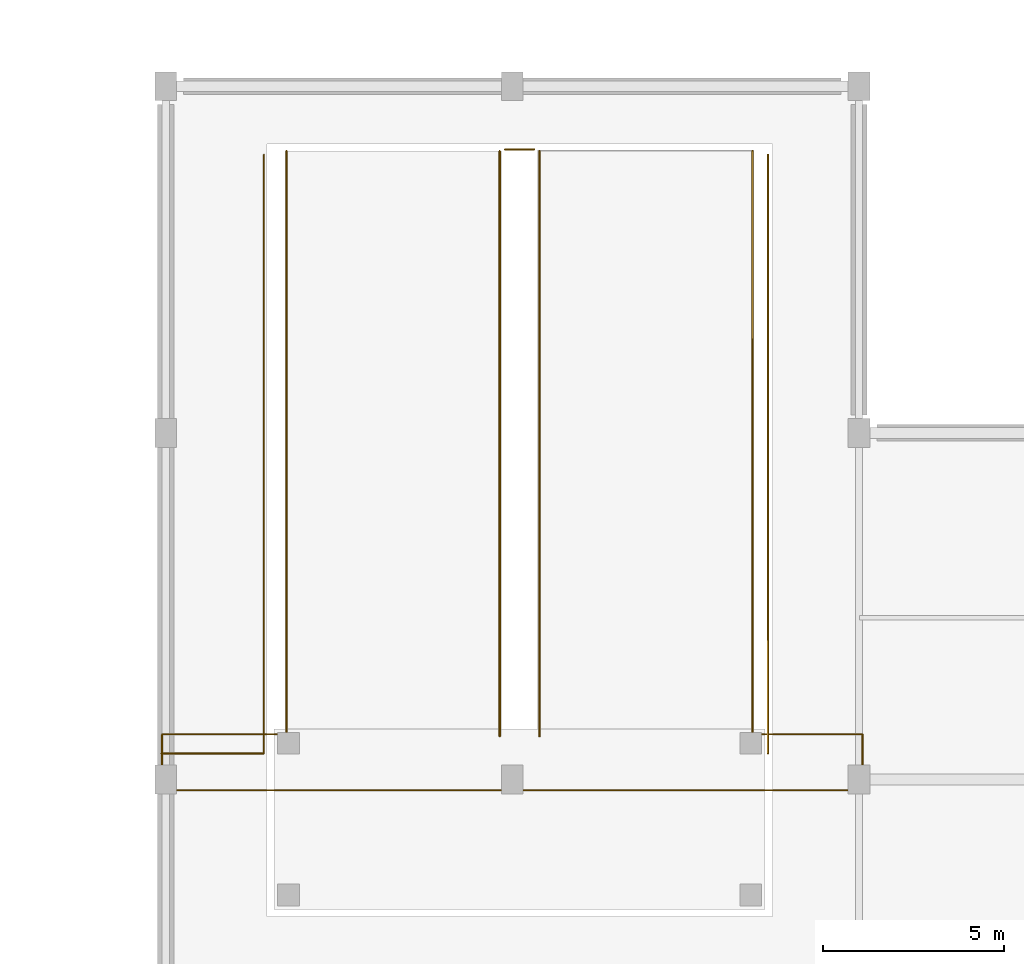
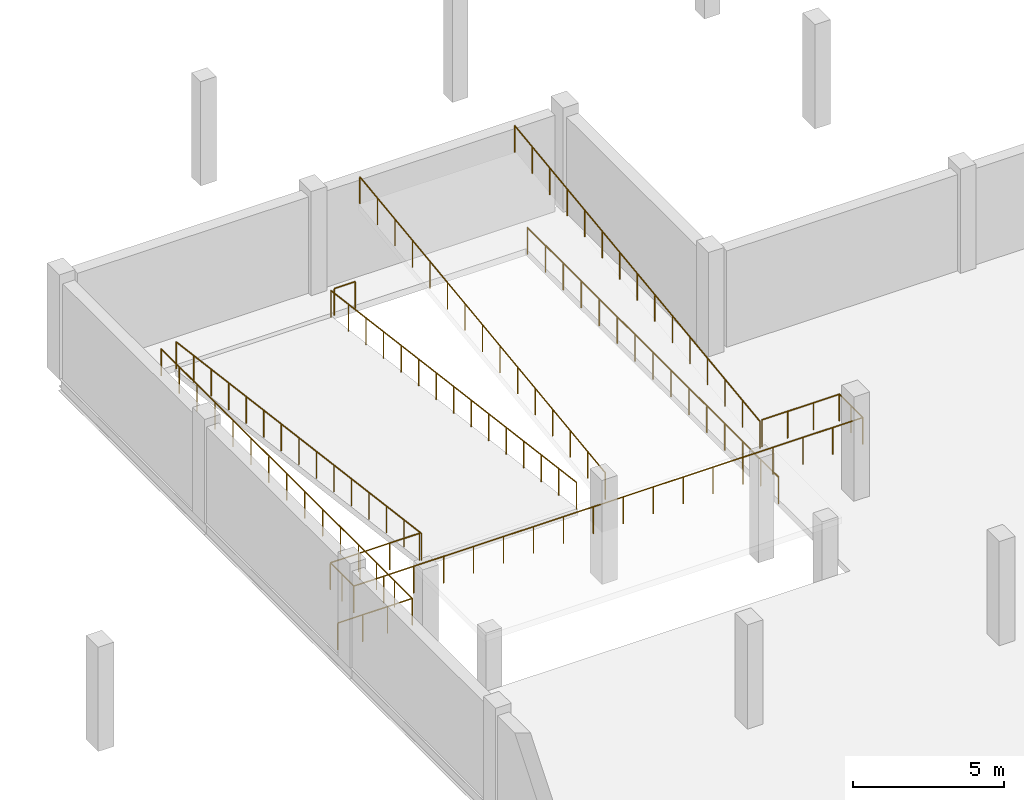
# One storey, part 43 of 47: 8 railings.
"""IFC4 building model written with IfcOpenShell, lengths in metres."""

import ifcopenshell
import ifcopenshell.guid

model = None  # the IFC model being written
_history = None  # IfcOwnerHistory: only IFC2X3 demands one
_inside = {}  # id of a spatial element -> (the spatial element, [elements in it])
_under = {}  # id of a project, library or spatial element -> (it, [spatial elements below it])
_declared = {}  # id of a project -> (the project, [libraries it declares])
_typed = {}  # id of a type object -> (the type object, [elements of that type])
_made_of = {}  # id of a material, layer set ... -> (it, [elements and type objects made of it])


def new_model(schema):
    """Start an empty IFC model of exactly this schema.

    Asked for "IFC4X3", IfcOpenShell would pick the latest addendum, in which some entities
    have other attributes; the version numbers below select the first issue.
    IFC2X3 requires an IfcOwnerHistory on every rooted entity: one is made here for all.
    """
    global model, _history
    if schema == "IFC4X3":
        model = ifcopenshell.file(schema_version=(4, 3, 0, 0))
    else:
        model = ifcopenshell.file(schema=schema)
    _inside.clear()
    _under.clear()
    _declared.clear()
    _typed.clear()
    _made_of.clear()
    _history = None
    if model.schema == "IFC2X3":
        org = make("IfcOrganization", Name="unknown")
        user = make(
            "IfcPersonAndOrganization",
            ThePerson=make("IfcPerson", FamilyName="unknown"),
            TheOrganization=org,
        )
        app = make(
            "IfcApplication",
            ApplicationDeveloper=org,
            Version="unknown",
            ApplicationFullName="unknown",
            ApplicationIdentifier="unknown",
        )
        _history = make(
            "IfcOwnerHistory",
            OwningUser=user,
            OwningApplication=app,
            ChangeAction="ADDED",
            CreationDate=0,
        )
    return model


def make(cls, **values):
    """One entity of the class cls with the attributes given. An attribute that is None is left unset."""
    return model.create_entity(
        cls, **{name: value for name, value in values.items() if value is not None}
    )


def rooted(cls, **values):
    """An entity with a GlobalId (a new one), such as an element, a storey or a relation."""
    return make(cls, GlobalId=ifcopenshell.guid.new(), OwnerHistory=_history, **values)


def si_unit(unit_type, name, prefix=None):
    """IfcSIUnit, for example si_unit("LENGTHUNIT", "METRE", prefix="MILLI")."""
    return make("IfcSIUnit", UnitType=unit_type, Prefix=prefix, Name=name)


def assignment(units):
    """IfcUnitAssignment: the units of a project."""
    return None if units is None else make("IfcUnitAssignment", Units=units)


def point(xyz):
    """IfcCartesianPoint."""
    return None if xyz is None else make("IfcCartesianPoint", Coordinates=xyz)


def direction(xyz):
    """IfcDirection."""
    return None if xyz is None else make("IfcDirection", DirectionRatios=xyz)


def frame(location, z_axis=None, x_axis=None):
    """IfcAxis2Placement3D, a coordinate frame: its origin and axes. An axis left out is left unset."""
    return make(
        "IfcAxis2Placement3D",
        Location=point(location),
        Axis=direction(z_axis),
        RefDirection=direction(x_axis),
    )


def frame_2d(location, x_axis=None):
    """IfcAxis2Placement2D, a coordinate frame in the plane: its origin and x axis."""
    return make(
        "IfcAxis2Placement2D", Location=point(location), RefDirection=direction(x_axis)
    )


def origin():
    """The frame at (0, 0, 0) with its axes left unset."""
    return frame((0.0, 0.0, 0.0))


def origin_2d():
    """The frame at (0, 0) in the plane with its x axis left unset."""
    return frame_2d((0.0, 0.0))


def place(relative_to, where):
    """IfcLocalPlacement: puts the frame where relative to a parent placement (None: the world)."""
    return make(
        "IfcLocalPlacement", PlacementRelTo=relative_to, RelativePlacement=where
    )


def context(
    kind, dimensions, precision=None, world=None, true_north=None, identifier=None
):
    """IfcGeometricRepresentationContext, for example the 3D "Model" context."""
    return make(
        "IfcGeometricRepresentationContext",
        ContextIdentifier=identifier,
        ContextType=kind,
        CoordinateSpaceDimension=dimensions,
        Precision=precision,
        WorldCoordinateSystem=world,
        TrueNorth=true_north,
    )


def subcontext(parent, identifier, kind, view, scale=None):
    """IfcGeometricRepresentationSubContext, for example "Body" below "Model"."""
    return make(
        "IfcGeometricRepresentationSubContext",
        ContextIdentifier=identifier,
        ContextType=kind,
        ParentContext=parent,
        TargetScale=scale,
        TargetView=view,
    )


def project(units=None, contexts=None):
    """IfcProject with its units and contexts."""
    return rooted(
        "IfcProject",
        Name="project",
        RepresentationContexts=contexts,
        UnitsInContext=assignment(units),
    )


def spatial(cls, under=None, at=None, **own):
    """A site, building, storey or space (cls), placed at a placement, below another one or the project."""
    s = rooted(cls, ObjectPlacement=at, **own)
    if under is not None:
        _under.setdefault(under.id(), (under, []))[1].append(s)
    return s


def profile(cls, at=None, kind="AREA", **sizes):
    """A parametric profile (cls). Its sizes go by their IFC names, for example OverallWidth=200.0."""
    return make(cls, ProfileType=kind, Position=at, **sizes)


def circle(**sizes):
    """IfcCircleProfileDef."""
    return profile("IfcCircleProfileDef", **sizes)


def extrude(swept, where, along, depth):
    """IfcExtrudedAreaSolid: the profile swept, set in the frame where, extruded along a direction by depth."""
    return make(
        "IfcExtrudedAreaSolid",
        SweptArea=swept,
        Position=where,
        ExtrudedDirection=direction(along),
        Depth=depth,
    )


def shape(context_of_items, identifier, shape_type, items):
    """IfcShapeRepresentation: the items that make up one representation, for example the "Body"."""
    return make(
        "IfcShapeRepresentation",
        ContextOfItems=context_of_items,
        RepresentationIdentifier=identifier,
        RepresentationType=shape_type,
        Items=items,
    )


def material(Name=None, Category=None):
    """IfcMaterial."""
    return make("IfcMaterial", Name=Name, Category=Category)


def made_of(thing, what):
    """Note that an element or type object is made of a material, layer set ...; save() writes the relation."""
    if what is not None:
        _made_of.setdefault(what.id(), (what, []))[1].append(thing)
    return thing


def type_object(cls, material=None, **own):
    """A type object (cls), such as IfcWallType, which elements share."""
    return made_of(rooted(cls, **own), material)


def element(
    cls,
    number,
    at=None,
    inside=None,
    cuts=None,
    type_object=None,
    material=None,
    context=None,
    identifier="Body",
    shape_type=None,
    held_by="IfcProductDefinitionShape",
    body=None,
    shapes=None,
    **own,
):
    """One element of the class cls, such as IfcWall. Its Tag is "e" and its number.

    at: its placement. inside: the storey or other place that contains it. cuts: it is an
    opening in that element (IfcRelVoidsElement). A single representation is given by context,
    identifier, shape_type and body (its items); several are given by shapes. held_by: the class
    of the entity that holds the representations. save() writes the other relations.
    """
    e = rooted(cls, Tag="e%d" % number, ObjectPlacement=at, **own)
    if body is not None:
        shapes = [shape(context, identifier, shape_type, body)]
    if shapes is not None:
        e.Representation = make(held_by, Representations=shapes)
    if inside is not None:
        _inside.setdefault(inside.id(), (inside, []))[1].append(e)
    if cuts is not None:
        rooted(
            "IfcRelVoidsElement", RelatingBuildingElement=cuts, RelatedOpeningElement=e
        )
    if type_object is not None:
        _typed.setdefault(type_object.id(), (type_object, []))[1].append(e)
    return made_of(e, material)


def aggregate(whole, parts):
    """IfcRelAggregates: a whole, such as a stair, and the parts it consists of."""
    return rooted("IfcRelAggregates", RelatingObject=whole, RelatedObjects=parts)


def save(model, path):
    """Write the relations noted so far, then the file.

    IfcRelAggregates (storeys below a building ...), IfcRelContainedInSpatialStructure (elements
    in a storey), IfcRelDefinesByType, IfcRelAssociatesMaterial and IfcRelDeclares: one each for
    every whole, place, type object, material and project.
    """
    for whole, parts in _under.values():
        aggregate(whole, parts)
    for where, things in _inside.values():
        rooted(
            "IfcRelContainedInSpatialStructure",
            RelatedElements=things,
            RelatingStructure=where,
        )
    for kind, things in _typed.values():
        rooted("IfcRelDefinesByType", RelatedObjects=things, RelatingType=kind)
    for what, things in _made_of.values():
        rooted("IfcRelAssociatesMaterial", RelatedObjects=things, RelatingMaterial=what)
    for by, libraries in _declared.values():
        rooted("IfcRelDeclares", RelatingContext=by, RelatedDefinitions=libraries)
    model.write(path)


model = new_model("IFC4")

# Units and contexts
model_context = context("Model", 3, precision=1e-05, world=origin(), true_north=direction((0.0, 1.0)))
body_context = subcontext(model_context, "Body", "Model", "MODEL_VIEW")
ifc_project = project(units=[si_unit("LENGTHUNIT", "METRE"), si_unit("AREAUNIT", "SQUARE_METRE"), si_unit("VOLUMEUNIT", "CUBIC_METRE"), si_unit("PLANEANGLEUNIT", "RADIAN"), si_unit("MASSUNIT", "GRAM", prefix="KILO")], contexts=[model_context])

# Site, building, storey
site_placement = place(None, origin())
site = spatial("IfcSite", under=ifc_project, at=site_placement, CompositionType="ELEMENT")
building_placement = place(site_placement, origin())
building = spatial("IfcBuilding", under=site, at=building_placement, Name="Zevrakil Square Congress Hotel", CompositionType="ELEMENT")
storey_placement = place(building_placement, frame((0.0, 0.0, -4.199951171875)))
storey = spatial("IfcBuildingStorey", under=building, at=storey_placement, Name="B1", CompositionType="ELEMENT", Elevation=-4.199951171875)

# Railings
ifc_material = material(Name="Steel S355", Category="steel")
railing_type = type_object("IfcRailingType", Name="RLG-TERR-1100", PredefinedType="BALUSTRADE", material=ifc_material)
railing_1_placement = place(storey_placement, frame((19.52001953125, 110.89990234375, 0.0)))
element("IfcRailing", 1, at=railing_1_placement, inside=storey, type_object=railing_type, Name="B1 terrace and void safety balustrade guard 19", PredefinedType="BALUSTRADE", context=body_context, shape_type="SweptSolid", body=[
    extrude(circle(Radius=0.02392578125, at=origin_2d()), frame((0.0, 0.0, 1.076171875), z_axis=(0.0, -1.0, 0.0), x_axis=(1.0, 0.0, 0.0)), (0.0, 0.0, 1.0), 16.579833984375),
    extrude(circle(Radius=0.02392578125, at=origin_2d()), frame((0.0, -16.579833984375, 1.076171875), z_axis=(-1.0, 0.0, 0.0), x_axis=(0.0, -1.0, 0.0)), (0.0, 0.0, 1.0), 2.840087890625),
    extrude(circle(Radius=0.02099609375, at=origin_2d()), origin(), (0.0, 0.0, 1.0), 1.052001953125),
    extrude(circle(Radius=0.02099609375, at=origin_2d()), frame((0.0, -1.184326171875, 0.0)), (0.0, 0.0, 1.0), 1.052001953125),
    extrude(circle(Radius=0.02099609375, at=origin_2d()), frame((0.0, -2.36865234375, 0.0)), (0.0, 0.0, 1.0), 1.052001953125),
    extrude(circle(Radius=0.02099609375, at=origin_2d()), frame((0.0, -3.552734375, 0.0)), (0.0, 0.0, 1.0), 1.052001953125),
    extrude(circle(Radius=0.02099609375, at=origin_2d()), frame((0.0, -4.737060546875, 0.0)), (0.0, 0.0, 1.0), 1.052001953125),
    extrude(circle(Radius=0.02099609375, at=origin_2d()), frame((0.0, -5.92138671875, 0.0)), (0.0, 0.0, 1.0), 1.052001953125),
    extrude(circle(Radius=0.02099609375, at=origin_2d()), frame((0.0, -7.105712890625, 0.0)), (0.0, 0.0, 1.0), 1.052001953125),
    extrude(circle(Radius=0.02099609375, at=origin_2d()), frame((0.0, -8.2900390625, 0.0)), (0.0, 0.0, 1.0), 1.052001953125),
    extrude(circle(Radius=0.02099609375, at=origin_2d()), frame((0.0, -9.47412109375, 0.0)), (0.0, 0.0, 1.0), 1.052001953125),
    extrude(circle(Radius=0.02099609375, at=origin_2d()), frame((0.0, -10.658447265625, 0.0)), (0.0, 0.0, 1.0), 1.052001953125),
    extrude(circle(Radius=0.02099609375, at=origin_2d()), frame((0.0, -11.8427734375, 0.0)), (0.0, 0.0, 1.0), 1.052001953125),
    extrude(circle(Radius=0.02099609375, at=origin_2d()), frame((0.0, -13.027099609375, 0.0)), (0.0, 0.0, 1.0), 1.052001953125),
    extrude(circle(Radius=0.02099609375, at=origin_2d()), frame((0.0, -14.211181640625, 0.0)), (0.0, 0.0, 1.0), 1.052001953125),
    extrude(circle(Radius=0.02099609375, at=origin_2d()), frame((0.0, -15.3955078125, 0.0)), (0.0, 0.0, 1.0), 1.052001953125),
    extrude(circle(Radius=0.02099609375, at=origin_2d()), frame((0.0, -16.579833984375, 0.0)), (0.0, 0.0, 1.0), 1.052001953125),
    extrude(circle(Radius=0.02099609375, at=origin_2d()), frame((-0.94677734375, -16.579833984375, 0.0)), (0.0, 0.0, 1.0), 1.052001953125),
    extrude(circle(Radius=0.02099609375, at=origin_2d()), frame((-1.893310546875, -16.579833984375, 0.0)), (0.0, 0.0, 1.0), 1.052001953125),
    extrude(circle(Radius=0.02099609375, at=origin_2d()), frame((-2.840087890625, -16.579833984375, 0.0)), (0.0, 0.0, 1.0), 1.052001953125),
])
railing_2_placement = place(storey_placement, frame((33.47998046875, 94.320068359375, 0.0)))
element("IfcRailing", 2, at=railing_2_placement, inside=storey, type_object=railing_type, Name="B1 terrace and void safety balustrade guard 20", PredefinedType="BALUSTRADE", context=body_context, shape_type="SweptSolid", body=[
    extrude(circle(Radius=0.02392578125, at=origin_2d()), frame((0.0, 0.0, 1.076171875), z_axis=(0.0, 1.0, 0.0), x_axis=(-1.0, 0.0, 0.0)), (0.0, 0.0, 1.0), 16.579833984375),
    extrude(circle(Radius=0.02099609375, at=origin_2d()), origin(), (0.0, 0.0, 1.0), 1.052001953125),
    extrude(circle(Radius=0.02099609375, at=origin_2d()), frame((0.0, 1.184326171875, 0.0)), (0.0, 0.0, 1.0), 1.052001953125),
    extrude(circle(Radius=0.02099609375, at=origin_2d()), frame((0.0, 2.36865234375, 0.0)), (0.0, 0.0, 1.0), 1.052001953125),
    extrude(circle(Radius=0.02099609375, at=origin_2d()), frame((0.0, 3.552734375, 0.0)), (0.0, 0.0, 1.0), 1.052001953125),
    extrude(circle(Radius=0.02099609375, at=origin_2d()), frame((0.0, 4.737060546875, 0.0)), (0.0, 0.0, 1.0), 1.052001953125),
    extrude(circle(Radius=0.02099609375, at=origin_2d()), frame((0.0, 5.92138671875, 0.0)), (0.0, 0.0, 1.0), 1.052001953125),
    extrude(circle(Radius=0.02099609375, at=origin_2d()), frame((0.0, 7.105712890625, 0.0)), (0.0, 0.0, 1.0), 1.052001953125),
    extrude(circle(Radius=0.02099609375, at=origin_2d()), frame((0.0, 8.2900390625, 0.0)), (0.0, 0.0, 1.0), 1.052001953125),
    extrude(circle(Radius=0.02099609375, at=origin_2d()), frame((0.0, 9.47412109375, 0.0)), (0.0, 0.0, 1.0), 1.052001953125),
    extrude(circle(Radius=0.02099609375, at=origin_2d()), frame((0.0, 10.658447265625, 0.0)), (0.0, 0.0, 1.0), 1.052001953125),
    extrude(circle(Radius=0.02099609375, at=origin_2d()), frame((0.0, 11.8427734375, 0.0)), (0.0, 0.0, 1.0), 1.052001953125),
    extrude(circle(Radius=0.02099609375, at=origin_2d()), frame((0.0, 13.027099609375, 0.0)), (0.0, 0.0, 1.0), 1.052001953125),
    extrude(circle(Radius=0.02099609375, at=origin_2d()), frame((0.0, 14.211181640625, 0.0)), (0.0, 0.0, 1.0), 1.052001953125),
    extrude(circle(Radius=0.02099609375, at=origin_2d()), frame((0.0, 15.3955078125, 0.0)), (0.0, 0.0, 1.0), 1.052001953125),
    extrude(circle(Radius=0.02099609375, at=origin_2d()), frame((0.0, 16.579833984375, 0.0)), (0.0, 0.0, 1.0), 1.052001953125),
])
railing_3_placement = place(storey_placement, frame((26.199951171875, 111.050048828125, 0.0)))
element("IfcRailing", 3, at=railing_3_placement, inside=storey, type_object=railing_type, Name="B1 terrace and void safety balustrade guard 21", PredefinedType="BALUSTRADE", context=body_context, shape_type="SweptSolid", body=[
    extrude(circle(Radius=0.02392578125, at=origin_2d()), frame((0.0, 0.0, 1.076171875), z_axis=(1.0, 0.0, 0.0), x_axis=(0.0, 1.0, 0.0)), (0.0, 0.0, 1.0), 0.800048828125),
    extrude(circle(Radius=0.02099609375, at=origin_2d()), origin(), (0.0, 0.0, 1.0), 1.052001953125),
    extrude(circle(Radius=0.02099609375, at=origin_2d()), frame((0.800048828125, 0.0, 0.0)), (0.0, 0.0, 1.0), 1.052001953125),
])
railing_4_placement = place(storey_placement, frame((20.14990234375, 111.0, 0.0)))
element("IfcRailing", 4, at=railing_4_placement, inside=storey, type_object=railing_type, Name="B1 terrace and void safety balustrade guard 22", PredefinedType="BALUSTRADE", context=body_context, shape_type="SweptSolid", body=[
    extrude(circle(Radius=0.02392578125, at=origin_2d()), frame((0.0, 0.0, 1.076171875), z_axis=(0.0, -0.99170360044, 0.128545590647), x_axis=(1.0, 0.0, 0.0)), (0.0, 0.0, 1.0), 16.33544921875),
    extrude(circle(Radius=0.02099609375, at=origin_2d()), origin(), (0.0, 0.0, 1.0), 1.052001953125),
    extrude(circle(Radius=0.02099609375, at=origin_2d()), frame((0.0, -1.1572265625, 0.14990234375)), (0.0, 0.0, 1.0), 1.052001953125),
    extrude(circle(Radius=0.02099609375, at=origin_2d()), frame((0.0, -2.314208984375, 0.300048828125)), (0.0, 0.0, 1.0), 1.052001953125),
    extrude(circle(Radius=0.02099609375, at=origin_2d()), frame((0.0, -3.471435546875, 0.449951171875)), (0.0, 0.0, 1.0), 1.052001953125),
    extrude(circle(Radius=0.02099609375, at=origin_2d()), frame((0.0, -4.628662109375, 0.599853515625)), (0.0, 0.0, 1.0), 1.052001953125),
    extrude(circle(Radius=0.02099609375, at=origin_2d()), frame((0.0, -5.78564453125, 0.75)), (0.0, 0.0, 1.0), 1.052001953125),
    extrude(circle(Radius=0.02099609375, at=origin_2d()), frame((0.0, -6.94287109375, 0.89990234375)), (0.0, 0.0, 1.0), 1.052001953125),
    extrude(circle(Radius=0.02099609375, at=origin_2d()), frame((0.0, -8.10009765625, 1.0498046875)), (0.0, 0.0, 1.0), 1.052001953125),
    extrude(circle(Radius=0.02099609375, at=origin_2d()), frame((0.0, -9.257080078125, 1.199951171875)), (0.0, 0.0, 1.0), 1.052001953125),
    extrude(circle(Radius=0.02099609375, at=origin_2d()), frame((0.0, -10.414306640625, 1.349853515625)), (0.0, 0.0, 1.0), 1.052001953125),
    extrude(circle(Radius=0.02099609375, at=origin_2d()), frame((0.0, -11.5712890625, 1.5)), (0.0, 0.0, 1.0), 1.052001953125),
    extrude(circle(Radius=0.02099609375, at=origin_2d()), frame((0.0, -12.728515625, 1.64990234375)), (0.0, 0.0, 1.0), 1.052001953125),
    extrude(circle(Radius=0.02099609375, at=origin_2d()), frame((0.0, -13.8857421875, 1.7998046875)), (0.0, 0.0, 1.0), 1.052001953125),
    extrude(circle(Radius=0.02099609375, at=origin_2d()), frame((0.0, -15.042724609375, 1.949951171875)), (0.0, 0.0, 1.0), 1.052001953125),
    extrude(circle(Radius=0.02099609375, at=origin_2d()), frame((0.0, -16.199951171875, 2.099853515625)), (0.0, 0.0, 1.0), 1.052001953125),
])
railing_5_placement = place(storey_placement, frame((26.050048828125, 111.0, 0.0)))
element("IfcRailing", 5, at=railing_5_placement, inside=storey, type_object=railing_type, Name="B1 terrace and void safety balustrade guard 23", PredefinedType="BALUSTRADE", context=body_context, shape_type="SweptSolid", body=[
    extrude(circle(Radius=0.02392578125, at=origin_2d()), frame((0.0, 0.0, 1.076171875), z_axis=(0.0, -0.99170360044, 0.128545590647), x_axis=(1.0, 0.0, 0.0)), (0.0, 0.0, 1.0), 16.33544921875),
    extrude(circle(Radius=0.02099609375, at=origin_2d()), origin(), (0.0, 0.0, 1.0), 1.052001953125),
    extrude(circle(Radius=0.02099609375, at=origin_2d()), frame((0.0, -1.1572265625, 0.14990234375)), (0.0, 0.0, 1.0), 1.052001953125),
    extrude(circle(Radius=0.02099609375, at=origin_2d()), frame((0.0, -2.314208984375, 0.300048828125)), (0.0, 0.0, 1.0), 1.052001953125),
    extrude(circle(Radius=0.02099609375, at=origin_2d()), frame((0.0, -3.471435546875, 0.449951171875)), (0.0, 0.0, 1.0), 1.052001953125),
    extrude(circle(Radius=0.02099609375, at=origin_2d()), frame((0.0, -4.628662109375, 0.599853515625)), (0.0, 0.0, 1.0), 1.052001953125),
    extrude(circle(Radius=0.02099609375, at=origin_2d()), frame((0.0, -5.78564453125, 0.75)), (0.0, 0.0, 1.0), 1.052001953125),
    extrude(circle(Radius=0.02099609375, at=origin_2d()), frame((0.0, -6.94287109375, 0.89990234375)), (0.0, 0.0, 1.0), 1.052001953125),
    extrude(circle(Radius=0.02099609375, at=origin_2d()), frame((0.0, -8.10009765625, 1.0498046875)), (0.0, 0.0, 1.0), 1.052001953125),
    extrude(circle(Radius=0.02099609375, at=origin_2d()), frame((0.0, -9.257080078125, 1.199951171875)), (0.0, 0.0, 1.0), 1.052001953125),
    extrude(circle(Radius=0.02099609375, at=origin_2d()), frame((0.0, -10.414306640625, 1.349853515625)), (0.0, 0.0, 1.0), 1.052001953125),
    extrude(circle(Radius=0.02099609375, at=origin_2d()), frame((0.0, -11.5712890625, 1.5)), (0.0, 0.0, 1.0), 1.052001953125),
    extrude(circle(Radius=0.02099609375, at=origin_2d()), frame((0.0, -12.728515625, 1.64990234375)), (0.0, 0.0, 1.0), 1.052001953125),
    extrude(circle(Radius=0.02099609375, at=origin_2d()), frame((0.0, -13.8857421875, 1.7998046875)), (0.0, 0.0, 1.0), 1.052001953125),
    extrude(circle(Radius=0.02099609375, at=origin_2d()), frame((0.0, -15.042724609375, 1.949951171875)), (0.0, 0.0, 1.0), 1.052001953125),
    extrude(circle(Radius=0.02099609375, at=origin_2d()), frame((0.0, -16.199951171875, 2.099853515625)), (0.0, 0.0, 1.0), 1.052001953125),
])
railing_6_placement = place(storey_placement, frame((27.14990234375, 94.800048828125, 2.099853515625)))
element("IfcRailing", 6, at=railing_6_placement, inside=storey, type_object=railing_type, Name="B1 terrace and void safety balustrade guard 24", PredefinedType="BALUSTRADE", context=body_context, shape_type="SweptSolid", body=[
    extrude(circle(Radius=0.02392578125, at=origin_2d()), frame((0.0, 0.0, 1.076171875), z_axis=(0.0, 0.991701695105, 0.128560289071), x_axis=(-1.0, 0.0, 0.0)), (0.0, 0.0, 1.0), 16.33544921875),
    extrude(circle(Radius=0.02099609375, at=origin_2d()), origin(), (0.0, 0.0, 1.0), 1.052001953125),
    extrude(circle(Radius=0.02099609375, at=origin_2d()), frame((0.0, 1.1572265625, 0.14990234375)), (0.0, 0.0, 1.0), 1.052001953125),
    extrude(circle(Radius=0.02099609375, at=origin_2d()), frame((0.0, 2.314208984375, 0.300048828125)), (0.0, 0.0, 1.0), 1.052001953125),
    extrude(circle(Radius=0.02099609375, at=origin_2d()), frame((0.0, 3.471435546875, 0.449951171875)), (0.0, 0.0, 1.0), 1.052001953125),
    extrude(circle(Radius=0.02099609375, at=origin_2d()), frame((0.0, 4.628662109375, 0.60009765625)), (0.0, 0.0, 1.0), 1.052001953125),
    extrude(circle(Radius=0.02099609375, at=origin_2d()), frame((0.0, 5.78564453125, 0.75)), (0.0, 0.0, 1.0), 1.052001953125),
    extrude(circle(Radius=0.02099609375, at=origin_2d()), frame((0.0, 6.94287109375, 0.900146484375)), (0.0, 0.0, 1.0), 1.052001953125),
    extrude(circle(Radius=0.02099609375, at=origin_2d()), frame((0.0, 8.10009765625, 1.050048828125)), (0.0, 0.0, 1.0), 1.052001953125),
    extrude(circle(Radius=0.02099609375, at=origin_2d()), frame((0.0, 9.257080078125, 1.199951171875)), (0.0, 0.0, 1.0), 1.052001953125),
    extrude(circle(Radius=0.02099609375, at=origin_2d()), frame((0.0, 10.414306640625, 1.35009765625)), (0.0, 0.0, 1.0), 1.052001953125),
    extrude(circle(Radius=0.02099609375, at=origin_2d()), frame((0.0, 11.5712890625, 1.5)), (0.0, 0.0, 1.0), 1.052001953125),
    extrude(circle(Radius=0.02099609375, at=origin_2d()), frame((0.0, 12.728515625, 1.650146484375)), (0.0, 0.0, 1.0), 1.052001953125),
    extrude(circle(Radius=0.02099609375, at=origin_2d()), frame((0.0, 13.8857421875, 1.800048828125)), (0.0, 0.0, 1.0), 1.052001953125),
    extrude(circle(Radius=0.02099609375, at=origin_2d()), frame((0.0, 15.042724609375, 1.9501953125)), (0.0, 0.0, 1.0), 1.052001953125),
    extrude(circle(Radius=0.02099609375, at=origin_2d()), frame((0.0, 16.199951171875, 2.10009765625)), (0.0, 0.0, 1.0), 1.052001953125),
])
railing_7_placement = place(storey_placement, frame((33.050048828125, 94.800048828125, 2.099853515625)))
element("IfcRailing", 7, at=railing_7_placement, inside=storey, type_object=railing_type, Name="B1 terrace and void safety balustrade guard 25", PredefinedType="BALUSTRADE", context=body_context, shape_type="SweptSolid", body=[
    extrude(circle(Radius=0.02392578125, at=origin_2d()), frame((0.0, 0.0, 1.076171875), z_axis=(0.0, 0.991701695105, 0.128560289071), x_axis=(-1.0, 0.0, 0.0)), (0.0, 0.0, 1.0), 16.33544921875),
    extrude(circle(Radius=0.02099609375, at=origin_2d()), origin(), (0.0, 0.0, 1.0), 1.052001953125),
    extrude(circle(Radius=0.02099609375, at=origin_2d()), frame((0.0, 1.1572265625, 0.14990234375)), (0.0, 0.0, 1.0), 1.052001953125),
    extrude(circle(Radius=0.02099609375, at=origin_2d()), frame((0.0, 2.314208984375, 0.300048828125)), (0.0, 0.0, 1.0), 1.052001953125),
    extrude(circle(Radius=0.02099609375, at=origin_2d()), frame((0.0, 3.471435546875, 0.449951171875)), (0.0, 0.0, 1.0), 1.052001953125),
    extrude(circle(Radius=0.02099609375, at=origin_2d()), frame((0.0, 4.628662109375, 0.60009765625)), (0.0, 0.0, 1.0), 1.052001953125),
    extrude(circle(Radius=0.02099609375, at=origin_2d()), frame((0.0, 5.78564453125, 0.75)), (0.0, 0.0, 1.0), 1.052001953125),
    extrude(circle(Radius=0.02099609375, at=origin_2d()), frame((0.0, 6.94287109375, 0.900146484375)), (0.0, 0.0, 1.0), 1.052001953125),
    extrude(circle(Radius=0.02099609375, at=origin_2d()), frame((0.0, 8.10009765625, 1.050048828125)), (0.0, 0.0, 1.0), 1.052001953125),
    extrude(circle(Radius=0.02099609375, at=origin_2d()), frame((0.0, 9.257080078125, 1.199951171875)), (0.0, 0.0, 1.0), 1.052001953125),
    extrude(circle(Radius=0.02099609375, at=origin_2d()), frame((0.0, 10.414306640625, 1.35009765625)), (0.0, 0.0, 1.0), 1.052001953125),
    extrude(circle(Radius=0.02099609375, at=origin_2d()), frame((0.0, 11.5712890625, 1.5)), (0.0, 0.0, 1.0), 1.052001953125),
    extrude(circle(Radius=0.02099609375, at=origin_2d()), frame((0.0, 12.728515625, 1.650146484375)), (0.0, 0.0, 1.0), 1.052001953125),
    extrude(circle(Radius=0.02099609375, at=origin_2d()), frame((0.0, 13.8857421875, 1.800048828125)), (0.0, 0.0, 1.0), 1.052001953125),
    extrude(circle(Radius=0.02099609375, at=origin_2d()), frame((0.0, 15.042724609375, 1.9501953125)), (0.0, 0.0, 1.0), 1.052001953125),
    extrude(circle(Radius=0.02099609375, at=origin_2d()), frame((0.0, 16.199951171875, 2.10009765625)), (0.0, 0.0, 1.0), 1.052001953125),
])
railing_8_placement = place(storey_placement, frame((20.10009765625, 94.85009765625, 2.099853515625)))
element("IfcRailing", 8, at=railing_8_placement, inside=storey, type_object=railing_type, Name="B1 terrace and void safety balustrade guard 26", PredefinedType="BALUSTRADE", context=body_context, shape_type="SweptSolid", body=[
    extrude(circle(Radius=0.02392578125, at=origin_2d()), frame((0.0, 0.0, 1.076171875), z_axis=(-1.0, 0.0, 0.0), x_axis=(0.0, -1.0, 0.0)), (0.0, 0.0, 1.0), 3.400146484375),
    extrude(circle(Radius=0.02392578125, at=origin_2d()), frame((-3.400146484375, 0.0, 1.076171875), z_axis=(0.0, -1.0, 0.0), x_axis=(1.0, 0.0, 0.0)), (0.0, 0.0, 1.0), 1.550048828125),
    extrude(circle(Radius=0.02392578125, at=origin_2d()), frame((-3.400146484375, -1.550048828125, 1.076171875), z_axis=(1.0, 0.0, 0.0), x_axis=(0.0, 1.0, 0.0)), (0.0, 0.0, 1.0), 19.400146484375),
    extrude(circle(Radius=0.02392578125, at=origin_2d()), frame((16.0, -1.550048828125, 1.076171875), z_axis=(0.0, 1.0, 0.0), x_axis=(-1.0, 0.0, 0.0)), (0.0, 0.0, 1.0), 1.550048828125),
    extrude(circle(Radius=0.02392578125, at=origin_2d()), frame((16.0, 0.0, 1.076171875), z_axis=(-1.0, 0.0, 0.0), x_axis=(0.0, -1.0, 0.0)), (0.0, 0.0, 1.0), 2.9501953125),
    extrude(circle(Radius=0.02099609375, at=origin_2d()), origin(), (0.0, 0.0, 1.0), 1.052001953125),
    extrude(circle(Radius=0.02099609375, at=origin_2d()), frame((-1.13330078125, 0.0, 0.0)), (0.0, 0.0, 1.0), 1.052001953125),
    extrude(circle(Radius=0.02099609375, at=origin_2d()), frame((-2.266845703125, 0.0, 0.0)), (0.0, 0.0, 1.0), 1.052001953125),
    extrude(circle(Radius=0.02099609375, at=origin_2d()), frame((-3.400146484375, 0.0, 0.0)), (0.0, 0.0, 1.0), 1.052001953125),
    extrude(circle(Radius=0.02099609375, at=origin_2d()), frame((-3.400146484375, -0.77490234375, 0.0)), (0.0, 0.0, 1.0), 1.052001953125),
    extrude(circle(Radius=0.02099609375, at=origin_2d()), frame((-3.400146484375, -1.550048828125, 0.0)), (0.0, 0.0, 1.0), 1.052001953125),
    extrude(circle(Radius=0.02099609375, at=origin_2d()), frame((-2.259033203125, -1.550048828125, 0.0)), (0.0, 0.0, 1.0), 1.052001953125),
    extrude(circle(Radius=0.02099609375, at=origin_2d()), frame((-1.11767578125, -1.550048828125, 0.0)), (0.0, 0.0, 1.0), 1.052001953125),
    extrude(circle(Radius=0.02099609375, at=origin_2d()), frame((0.0234375, -1.550048828125, 0.0)), (0.0, 0.0, 1.0), 1.052001953125),
    extrude(circle(Radius=0.02099609375, at=origin_2d()), frame((1.16455078125, -1.550048828125, 0.0)), (0.0, 0.0, 1.0), 1.052001953125),
    extrude(circle(Radius=0.02099609375, at=origin_2d()), frame((2.3056640625, -1.550048828125, 0.0)), (0.0, 0.0, 1.0), 1.052001953125),
    extrude(circle(Radius=0.02099609375, at=origin_2d()), frame((3.447021484375, -1.550048828125, 0.0)), (0.0, 0.0, 1.0), 1.052001953125),
    extrude(circle(Radius=0.02099609375, at=origin_2d()), frame((4.588134765625, -1.550048828125, 0.0)), (0.0, 0.0, 1.0), 1.052001953125),
    extrude(circle(Radius=0.02099609375, at=origin_2d()), frame((5.729248046875, -1.550048828125, 0.0)), (0.0, 0.0, 1.0), 1.052001953125),
    extrude(circle(Radius=0.02099609375, at=origin_2d()), frame((6.87060546875, -1.550048828125, 0.0)), (0.0, 0.0, 1.0), 1.052001953125),
    extrude(circle(Radius=0.02099609375, at=origin_2d()), frame((8.01171875, -1.550048828125, 0.0)), (0.0, 0.0, 1.0), 1.052001953125),
    extrude(circle(Radius=0.02099609375, at=origin_2d()), frame((9.15283203125, -1.550048828125, 0.0)), (0.0, 0.0, 1.0), 1.052001953125),
    extrude(circle(Radius=0.02099609375, at=origin_2d()), frame((10.294189453125, -1.550048828125, 0.0)), (0.0, 0.0, 1.0), 1.052001953125),
    extrude(circle(Radius=0.02099609375, at=origin_2d()), frame((11.435302734375, -1.550048828125, 0.0)), (0.0, 0.0, 1.0), 1.052001953125),
    extrude(circle(Radius=0.02099609375, at=origin_2d()), frame((12.576416015625, -1.550048828125, 0.0)), (0.0, 0.0, 1.0), 1.052001953125),
    extrude(circle(Radius=0.02099609375, at=origin_2d()), frame((13.717529296875, -1.550048828125, 0.0)), (0.0, 0.0, 1.0), 1.052001953125),
    extrude(circle(Radius=0.02099609375, at=origin_2d()), frame((14.85888671875, -1.550048828125, 0.0)), (0.0, 0.0, 1.0), 1.052001953125),
    extrude(circle(Radius=0.02099609375, at=origin_2d()), frame((16.0, -1.550048828125, 0.0)), (0.0, 0.0, 1.0), 1.052001953125),
    extrude(circle(Radius=0.02099609375, at=origin_2d()), frame((16.0, -0.77490234375, 0.0)), (0.0, 0.0, 1.0), 1.052001953125),
    extrude(circle(Radius=0.02099609375, at=origin_2d()), frame((16.0, 0.0, 0.0)), (0.0, 0.0, 1.0), 1.052001953125),
    extrude(circle(Radius=0.02099609375, at=origin_2d()), frame((15.0166015625, 0.0, 0.0)), (0.0, 0.0, 1.0), 1.052001953125),
    extrude(circle(Radius=0.02099609375, at=origin_2d()), frame((14.033203125, 0.0, 0.0)), (0.0, 0.0, 1.0), 1.052001953125),
    extrude(circle(Radius=0.02099609375, at=origin_2d()), frame((13.0498046875, 0.0, 0.0)), (0.0, 0.0, 1.0), 1.052001953125),
])

save(model, "model.ifc")
